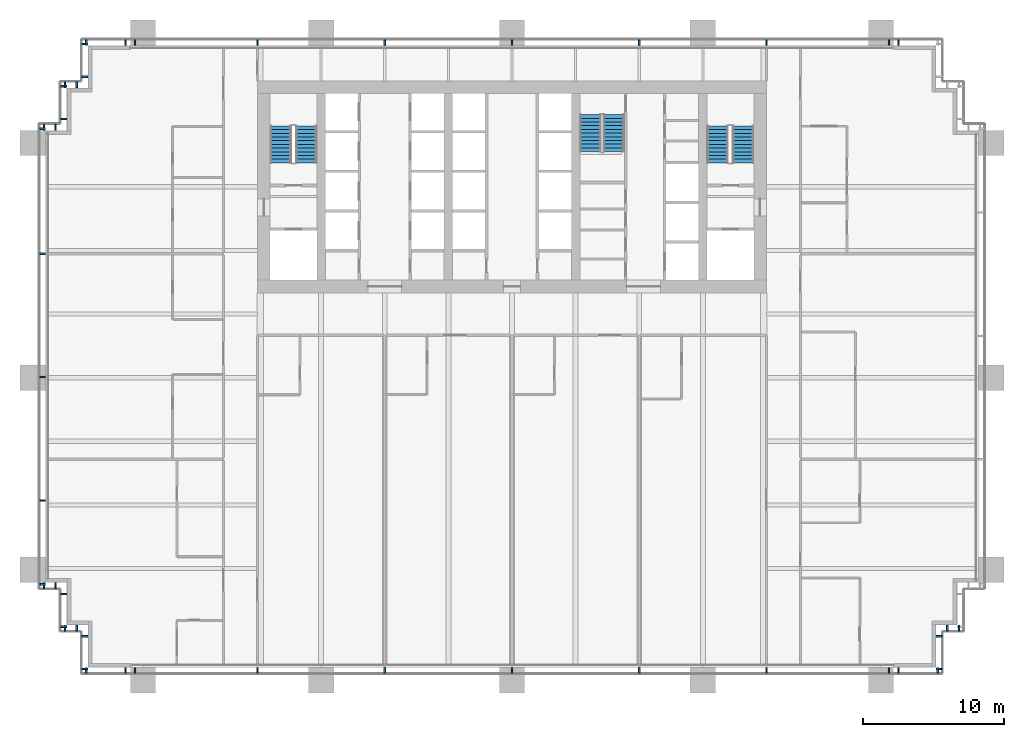
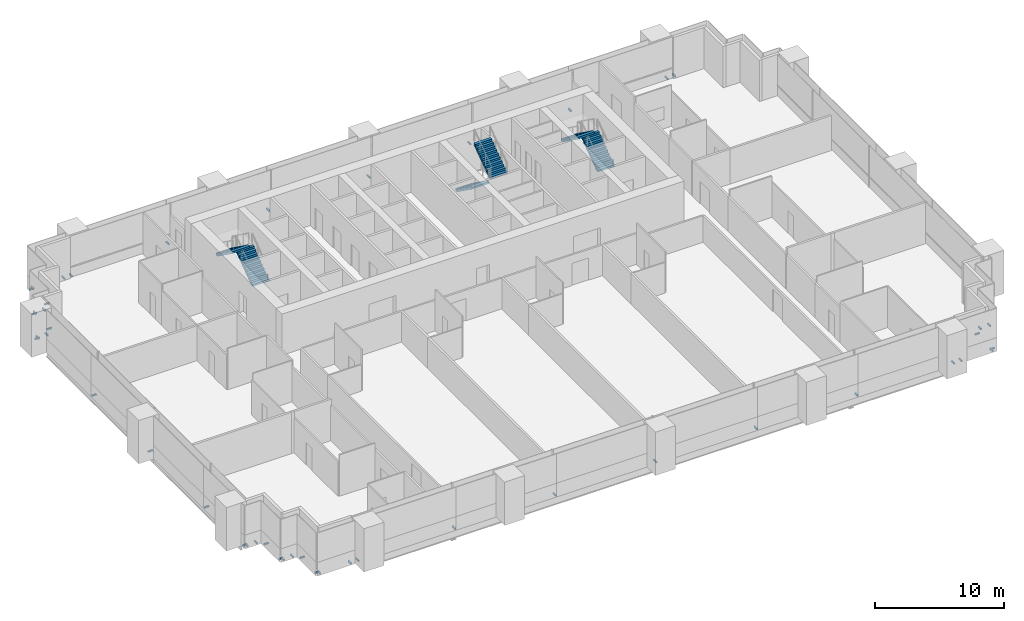
# One storey, part 15 of 19: 46 discrete accessories, 6 stair flights, 3 elements without a shape of their own.
"""IFC4 building model written with IfcOpenShell, lengths in metres."""

from ifc_helpers import new_model, si_unit, direction, frame, origin, origin_2d, place, context, subcontext, project, spatial, polyline, rectangle, outline, extrude, material, type_object, element, aggregate, save


model = new_model("IFC4")

# Units and contexts
model_context = context("Model", 3, precision=1e-05, world=origin(), true_north=direction((0.0, 1.0)))
body_context = subcontext(model_context, "Body", "Model", "MODEL_VIEW")
ifc_project = project(units=[si_unit("LENGTHUNIT", "METRE"), si_unit("AREAUNIT", "SQUARE_METRE"), si_unit("VOLUMEUNIT", "CUBIC_METRE"), si_unit("PLANEANGLEUNIT", "RADIAN"), si_unit("MASSUNIT", "GRAM", prefix="KILO")], contexts=[model_context])

# Site, building, storey
site_placement = place(None, origin())
site = spatial("IfcSite", under=ifc_project, at=site_placement, CompositionType="ELEMENT")
building_placement = place(site_placement, origin())
building = spatial("IfcBuilding", under=site, at=building_placement, Name="Rattan Terrace Tower", CompositionType="ELEMENT")
storey_placement = place(building_placement, frame((0.0, 0.0, 65.199951171875)))
storey = spatial("IfcBuildingStorey", under=building, at=storey_placement, Name="L14", CompositionType="ELEMENT", Elevation=65.199951171875)

# Stair, stair flights
ifc_material_1 = material(Name="Concrete C40/50", Category="concrete")
stair_type = type_object("IfcStairType", Name="Core exit stair 1500", PredefinedType="HALF_TURN_STAIR", material=ifc_material_1)
stair_1_placement = place(storey_placement, origin())
stair_1 = element("IfcStair", 1, at=stair_1_placement, inside=storey, type_object=stair_type, Name="L14 exit stair 1", PredefinedType="HALF_TURN_STAIR")
ifc_material_2 = material(Name="Concrete C40/50", Category="concrete")
stair_flight_type = type_object("IfcStairFlightType", Name="Core exit stair flight 1500", PredefinedType="STRAIGHT", material=ifc_material_2)
stair_flight_1_placement = place(storey_placement, frame((-14.550048828125, 1.699951171875, 0.0), z_axis=(0.0, 0.0, 1.0), x_axis=(0.0, 1.0, 0.0)))
stair_flight_1 = element("IfcStairFlight", 2, at=stair_flight_1_placement, type_object=stair_flight_type, Name="S1 flight 1", NumberOfRisers=11, NumberOfTreads=10, PredefinedType="STRAIGHT", RiserHeight=0.186363636, TreadLength=0.26, context=body_context, shape_type="SweptSolid", body=[
    extrude(outline(polyline([(0.0, 0.0), (0.0, 0.186279296875), (0.260009765625, 0.186279296875), (0.260009765625, 0.372802734375), (0.52001953125, 0.372802734375), (0.52001953125, 0.55908203125), (0.780029296875, 0.55908203125), (0.780029296875, 0.745361328125), (1.0400390625, 0.745361328125), (1.0400390625, 0.931884765625), (1.300048828125, 0.931884765625), (1.300048828125, 1.1181640625), (1.56005859375, 1.1181640625), (1.56005859375, 1.304443359375), (1.820068359375, 1.304443359375), (1.820068359375, 1.490966796875), (2.080078125, 1.490966796875), (2.080078125, 1.67724609375), (2.340087890625, 1.67724609375), (2.340087890625, 1.863525390625), (2.60009765625, 1.863525390625), (2.60009765625, 2.050048828125), (2.60009765625, 1.67919921875), (0.25732421875, 0.0), (0.0, 0.0)])), frame((0.0, 0.75, 0.0), z_axis=(0.0, -1.0, 0.0), x_axis=(1.0, 0.0, 0.0)), (0.0, 0.0, 1.0), 1.5),
])
stair_flight_2_placement = place(storey_placement, frame((-16.35009765625, 4.300048828125, 2.050048828125), z_axis=(0.0, 0.0, 1.0), x_axis=(0.0, -1.0, 0.0)))
stair_flight_2 = element("IfcStairFlight", 3, at=stair_flight_2_placement, type_object=stair_flight_type, Name="S1 flight 2", NumberOfRisers=11, NumberOfTreads=10, PredefinedType="STRAIGHT", RiserHeight=0.186363636, TreadLength=0.26, context=body_context, shape_type="SweptSolid", body=[
    extrude(outline(polyline([(0.0, 0.0), (0.0, 0.186279296875), (0.260009765625, 0.186279296875), (0.260009765625, 0.372802734375), (0.52001953125, 0.372802734375), (0.52001953125, 0.55908203125), (0.780029296875, 0.55908203125), (0.780029296875, 0.745361328125), (1.0400390625, 0.745361328125), (1.0400390625, 0.931884765625), (1.300048828125, 0.931884765625), (1.300048828125, 1.1181640625), (1.56005859375, 1.1181640625), (1.56005859375, 1.304443359375), (1.820068359375, 1.304443359375), (1.820068359375, 1.490966796875), (2.080078125, 1.490966796875), (2.080078125, 1.67724609375), (2.340087890625, 1.67724609375), (2.340087890625, 1.863525390625), (2.60009765625, 1.863525390625), (2.60009765625, 2.050048828125), (2.60009765625, 1.67919921875), (0.25732421875, 0.0), (0.0, 0.0)])), frame((0.0, 0.75, 0.0), z_axis=(0.0, -1.0, 0.0), x_axis=(1.0, 0.0, 0.0)), (0.0, 0.0, 1.0), 1.5),
])
aggregate(stair_1, [stair_flight_1, stair_flight_2])

stair_2_placement = place(storey_placement, origin())
stair_2 = element("IfcStair", 4, at=stair_2_placement, inside=storey, type_object=stair_type, Name="L14 exit stair 2", PredefinedType="HALF_TURN_STAIR")
stair_flight_3_placement = place(storey_placement, frame((16.35009765625, 1.699951171875, 0.0), z_axis=(0.0, 0.0, 1.0), x_axis=(0.0, 1.0, 0.0)))
stair_flight_3 = element("IfcStairFlight", 5, at=stair_flight_3_placement, type_object=stair_flight_type, Name="S2 flight 1", NumberOfRisers=11, NumberOfTreads=10, PredefinedType="STRAIGHT", RiserHeight=0.186363636, TreadLength=0.26, context=body_context, shape_type="SweptSolid", body=[
    extrude(outline(polyline([(0.0, 0.0), (0.0, 0.186279296875), (0.260009765625, 0.186279296875), (0.260009765625, 0.372802734375), (0.52001953125, 0.372802734375), (0.52001953125, 0.55908203125), (0.780029296875, 0.55908203125), (0.780029296875, 0.745361328125), (1.0400390625, 0.745361328125), (1.0400390625, 0.931884765625), (1.300048828125, 0.931884765625), (1.300048828125, 1.1181640625), (1.56005859375, 1.1181640625), (1.56005859375, 1.304443359375), (1.820068359375, 1.304443359375), (1.820068359375, 1.490966796875), (2.080078125, 1.490966796875), (2.080078125, 1.67724609375), (2.340087890625, 1.67724609375), (2.340087890625, 1.863525390625), (2.60009765625, 1.863525390625), (2.60009765625, 2.050048828125), (2.60009765625, 1.67919921875), (0.25732421875, 0.0), (0.0, 0.0)])), frame((0.0, 0.75, 0.0), z_axis=(0.0, -1.0, 0.0), x_axis=(1.0, 0.0, 0.0)), (0.0, 0.0, 1.0), 1.5),
])
stair_flight_4_placement = place(storey_placement, frame((14.550048828125, 4.300048828125, 2.050048828125), z_axis=(0.0, 0.0, 1.0), x_axis=(0.0, -1.0, 0.0)))
stair_flight_4 = element("IfcStairFlight", 6, at=stair_flight_4_placement, type_object=stair_flight_type, Name="S2 flight 2", NumberOfRisers=11, NumberOfTreads=10, PredefinedType="STRAIGHT", RiserHeight=0.186363636, TreadLength=0.26, context=body_context, shape_type="SweptSolid", body=[
    extrude(outline(polyline([(0.0, 0.0), (0.0, 0.186279296875), (0.260009765625, 0.186279296875), (0.260009765625, 0.372802734375), (0.52001953125, 0.372802734375), (0.52001953125, 0.55908203125), (0.780029296875, 0.55908203125), (0.780029296875, 0.745361328125), (1.0400390625, 0.745361328125), (1.0400390625, 0.931884765625), (1.300048828125, 0.931884765625), (1.300048828125, 1.1181640625), (1.56005859375, 1.1181640625), (1.56005859375, 1.304443359375), (1.820068359375, 1.304443359375), (1.820068359375, 1.490966796875), (2.080078125, 1.490966796875), (2.080078125, 1.67724609375), (2.340087890625, 1.67724609375), (2.340087890625, 1.863525390625), (2.60009765625, 1.863525390625), (2.60009765625, 2.050048828125), (2.60009765625, 1.67919921875), (0.25732421875, 0.0), (0.0, 0.0)])), frame((0.0, 0.75, 0.0), z_axis=(0.0, -1.0, 0.0), x_axis=(1.0, 0.0, 0.0)), (0.0, 0.0, 1.0), 1.5),
])
aggregate(stair_2, [stair_flight_3, stair_flight_4])

stair_3_placement = place(storey_placement, origin())
stair_3 = element("IfcStair", 7, at=stair_3_placement, inside=storey, type_object=stair_type, Name="L14 exit stair 3", PredefinedType="HALF_TURN_STAIR")
stair_flight_5_placement = place(storey_placement, frame((5.550048828125, 5.10009765625, 0.0), z_axis=(0.0, 0.0, 1.0), x_axis=(0.0, -1.0, 0.0)))
stair_flight_5 = element("IfcStairFlight", 8, at=stair_flight_5_placement, type_object=stair_flight_type, Name="S3 flight 1", NumberOfRisers=11, NumberOfTreads=10, PredefinedType="STRAIGHT", RiserHeight=0.186363636, TreadLength=0.26, context=body_context, shape_type="SweptSolid", body=[
    extrude(outline(polyline([(0.0, 0.0), (0.0, 0.186279296875), (0.260009765625, 0.186279296875), (0.260009765625, 0.372802734375), (0.52001953125, 0.372802734375), (0.52001953125, 0.55908203125), (0.780029296875, 0.55908203125), (0.780029296875, 0.745361328125), (1.0400390625, 0.745361328125), (1.0400390625, 0.931884765625), (1.300048828125, 0.931884765625), (1.300048828125, 1.1181640625), (1.56005859375, 1.1181640625), (1.56005859375, 1.304443359375), (1.820068359375, 1.304443359375), (1.820068359375, 1.490966796875), (2.080078125, 1.490966796875), (2.080078125, 1.67724609375), (2.340087890625, 1.67724609375), (2.340087890625, 1.863525390625), (2.60009765625, 1.863525390625), (2.60009765625, 2.050048828125), (2.60009765625, 1.67919921875), (0.25732421875, 0.0), (0.0, 0.0)])), frame((0.0, 0.75, 0.0), z_axis=(0.0, -1.0, 0.0), x_axis=(1.0, 0.0, 0.0)), (0.0, 0.0, 1.0), 1.5),
])
stair_flight_6_placement = place(storey_placement, frame((7.199951171875, 2.5, 2.050048828125), z_axis=(0.0, 0.0, 1.0), x_axis=(0.0, 1.0, 0.0)))
stair_flight_6 = element("IfcStairFlight", 9, at=stair_flight_6_placement, type_object=stair_flight_type, Name="S3 flight 2", NumberOfRisers=11, NumberOfTreads=10, PredefinedType="STRAIGHT", RiserHeight=0.186363636, TreadLength=0.26, context=body_context, shape_type="SweptSolid", body=[
    extrude(outline(polyline([(0.0, 0.0), (0.0, 0.186279296875), (0.260009765625, 0.186279296875), (0.260009765625, 0.372802734375), (0.52001953125, 0.372802734375), (0.52001953125, 0.55908203125), (0.780029296875, 0.55908203125), (0.780029296875, 0.745361328125), (1.0400390625, 0.745361328125), (1.0400390625, 0.931884765625), (1.300048828125, 0.931884765625), (1.300048828125, 1.1181640625), (1.56005859375, 1.1181640625), (1.56005859375, 1.304443359375), (1.820068359375, 1.304443359375), (1.820068359375, 1.490966796875), (2.080078125, 1.490966796875), (2.080078125, 1.67724609375), (2.340087890625, 1.67724609375), (2.340087890625, 1.863525390625), (2.60009765625, 1.863525390625), (2.60009765625, 2.050048828125), (2.60009765625, 1.67919921875), (0.25732421875, 0.0), (0.0, 0.0)])), frame((0.0, 0.75, 0.0), z_axis=(0.0, -1.0, 0.0), x_axis=(1.0, 0.0, 0.0)), (0.0, 0.0, 1.0), 1.5),
])
aggregate(stair_3, [stair_flight_5, stair_flight_6])

# Discrete accessories
for number, where, z_axis, x_axis, name in (
    (10, (27.340087890625, -34.2099609375, -0.169921875), (0.0, 0.0, 1.0), (1.0, 0.0, 0.0), "Panel bracket L14-1"),
    (11, (30.110107421875, -34.2099609375, -0.169921875), (0.0, 0.0, 1.0), (1.0, 0.0, 0.0), "Panel bracket L14-2"),
    (12, (30.2099609375, -34.110107421875, -0.169921875), (0.0, 0.0, 1.0), (0.0, 1.0, 0.0), "Panel bracket L14-3"),
    (13, (30.2099609375, -31.7900390625, -0.169921875), (0.0, 0.0, 1.0), (0.0, 1.0, 0.0), "Panel bracket L14-4"),
    (14, (30.7900390625, -31.2099609375, -0.169921875), (0.0, 0.0, 1.0), (1.0, 0.0, 0.0), "Panel bracket L14-5"),
    (15, (31.610107421875, -31.2099609375, -0.169921875), (0.0, 0.0, 1.0), (1.0, 0.0, 0.0), "Panel bracket L14-6"),
    (16, (27.340087890625, 10.2099609375, -0.169921875), (0.0, 0.0, 1.0), (-1.0, 0.0, 0.0), "Panel bracket L14-25"),
    (17, (26.659912109375, 10.2099609375, -0.169921875), (0.0, 0.0, 1.0), (-1.0, 0.0, 0.0), "Panel bracket L14-26"),
    (18, (18.0, 10.2099609375, -0.169921875), (0.0, 0.0, 1.0), (-1.0, 0.0, 0.0), "Panel bracket L14-27"),
    (19, (9.0, 10.2099609375, -0.169921875), (0.0, 0.0, 1.0), (-1.0, 0.0, 0.0), "Panel bracket L14-28"),
    (20, (0.0, 10.2099609375, -0.169921875), (0.0, 0.0, 1.0), (-1.0, 0.0, 0.0), "Panel bracket L14-29"),
    (21, (-9.0, 10.2099609375, -0.169921875), (0.0, 0.0, 1.0), (-1.0, 0.0, 0.0), "Panel bracket L14-30"),
    (22, (-18.0, 10.2099609375, -0.169921875), (0.0, 0.0, 1.0), (-1.0, 0.0, 0.0), "Panel bracket L14-31"),
    (23, (-26.659912109375, 10.2099609375, -0.169921875), (0.0, 0.0, 1.0), (-1.0, 0.0, 0.0), "Panel bracket L14-32"),
    (24, (-27.340087890625, 10.2099609375, -0.169921875), (0.0, 0.0, 1.0), (-1.0, 0.0, 0.0), "Panel bracket L14-33"),
    (25, (-30.110107421875, 10.2099609375, -0.169921875), (0.0, 0.0, 1.0), (-1.0, 0.0, 0.0), "Panel bracket L14-34"),
    (26, (-30.2099609375, 10.110107421875, -0.169921875), (0.0, 0.0, 1.0), (0.0, -1.0, 0.0), "Panel bracket L14-35"),
    (27, (-30.2099609375, 7.7900390625, -0.169921875), (0.0, 0.0, 1.0), (0.0, -1.0, 0.0), "Panel bracket L14-36"),
    (28, (-30.7900390625, 7.2099609375, -0.169921875), (0.0, 0.0, 1.0), (-1.0, 0.0, 0.0), "Panel bracket L14-37"),
    (29, (-31.610107421875, 7.2099609375, -0.169921875), (0.0, 0.0, 1.0), (-1.0, 0.0, 0.0), "Panel bracket L14-38"),
    (30, (-31.7099609375, 7.110107421875, -0.169921875), (0.0, 0.0, 1.0), (0.0, -1.0, 0.0), "Panel bracket L14-39"),
    (31, (-31.7099609375, 4.7900390625, -0.169921875), (0.0, 0.0, 1.0), (0.0, -1.0, 0.0), "Panel bracket L14-40"),
    (32, (-32.2900390625, 4.2099609375, -0.169921875), (0.0, 0.0, 1.0), (-1.0, 0.0, 0.0), "Panel bracket L14-41"),
    (33, (-33.110107421875, 4.2099609375, -0.169921875), (0.0, 0.0, 1.0), (-1.0, 0.0, 0.0), "Panel bracket L14-42"),
    (34, (-33.2099609375, 4.110107421875, -0.169921875), (0.0, 0.0, 1.0), (0.0, -1.0, 0.0), "Panel bracket L14-43"),
    (35, (-33.2099609375, -4.72705078125, -0.169921875), (0.0, 0.0, 1.0), (0.0, -1.0, 0.0), "Panel bracket L14-44"),
    (36, (-33.2099609375, -13.4541015625, -0.169921875), (0.0, 0.0, 1.0), (0.0, -1.0, 0.0), "Panel bracket L14-45"),
    (37, (-33.2099609375, -22.180908203125, -0.169921875), (0.0, 0.0, 1.0), (0.0, -1.0, 0.0), "Panel bracket L14-46"),
    (38, (-33.2099609375, -28.110107421875, -0.169921875), (0.0, 0.0, 1.0), (0.0, -1.0, 0.0), "Panel bracket L14-47"),
    (39, (-33.110107421875, -28.2099609375, -0.169921875), (0.0, 0.0, 1.0), (1.0, 0.0, 0.0), "Panel bracket L14-48"),
    (40, (-32.2900390625, -28.2099609375, -0.169921875), (0.0, 0.0, 1.0), (1.0, 0.0, 0.0), "Panel bracket L14-49"),
    (41, (-31.7099609375, -28.7900390625, -0.169921875), (0.0, 0.0, 1.0), (0.0, -1.0, 0.0), "Panel bracket L14-50"),
    (42, (-31.7099609375, -31.110107421875, -0.169921875), (0.0, 0.0, 1.0), (0.0, -1.0, 0.0), "Panel bracket L14-51"),
    (43, (-31.610107421875, -31.2099609375, -0.169921875), (0.0, 0.0, 1.0), (1.0, 0.0, 0.0), "Panel bracket L14-52"),
    (44, (-30.7900390625, -31.2099609375, -0.169921875), (0.0, 0.0, 1.0), (1.0, 0.0, 0.0), "Panel bracket L14-53"),
    (45, (-30.2099609375, -31.7900390625, -0.169921875), (0.0, 0.0, 1.0), (0.0, -1.0, 0.0), "Panel bracket L14-54"),
    (46, (-30.2099609375, -34.110107421875, -0.169921875), (0.0, 0.0, 1.0), (0.0, -1.0, 0.0), "Panel bracket L14-55"),
    (47, (-30.110107421875, -34.2099609375, -0.169921875), (0.0, 0.0, 1.0), (1.0, 0.0, 0.0), "Panel bracket L14-56"),
    (48, (-27.340087890625, -34.2099609375, -0.169921875), (0.0, 0.0, 1.0), (1.0, 0.0, 0.0), "Panel bracket L14-57"),
    (49, (-26.659912109375, -34.2099609375, -0.169921875), (0.0, 0.0, 1.0), (1.0, 0.0, 0.0), "Panel bracket L14-58"),
    (50, (-18.0, -34.2099609375, -0.169921875), (0.0, 0.0, 1.0), (1.0, 0.0, 0.0), "Panel bracket L14-59"),
    (51, (-9.0, -34.2099609375, -0.169921875), (0.0, 0.0, 1.0), (1.0, 0.0, 0.0), "Panel bracket L14-60"),
    (52, (0.0, -34.2099609375, -0.169921875), (0.0, 0.0, 1.0), (1.0, 0.0, 0.0), "Panel bracket L14-61"),
    (53, (9.0, -34.2099609375, -0.169921875), (0.0, 0.0, 1.0), (1.0, 0.0, 0.0), "Panel bracket L14-62"),
    (54, (18.0, -34.2099609375, -0.169921875), (0.0, 0.0, 1.0), (1.0, 0.0, 0.0), "Panel bracket L14-63"),
    (55, (26.659912109375, -34.2099609375, -0.169921875), (0.0, 0.0, 1.0), (1.0, 0.0, 0.0), "Panel bracket L14-64"),
):
    element("IfcDiscreteAccessory", number, at=place(storey_placement, frame(where, z_axis=z_axis, x_axis=x_axis)), inside=storey, Name=name, PredefinedType="BRACKET", context=body_context, shape_type="SweptSolid", body=[
        extrude(rectangle(XDim=0.1201171875, YDim=0.419921875, at=origin_2d()), origin(), (0.0, 0.0, 1.0), 0.139892578125),
    ])

save(model, "model.ifc")
